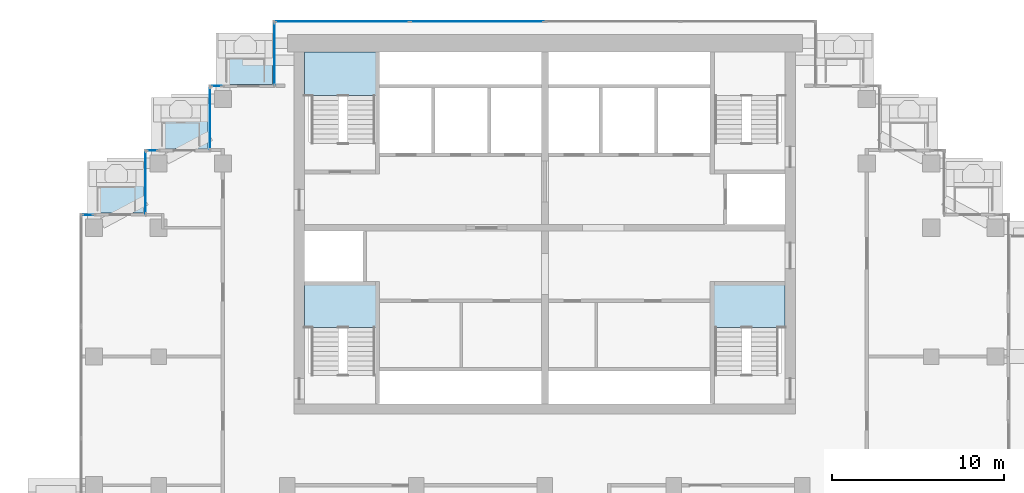
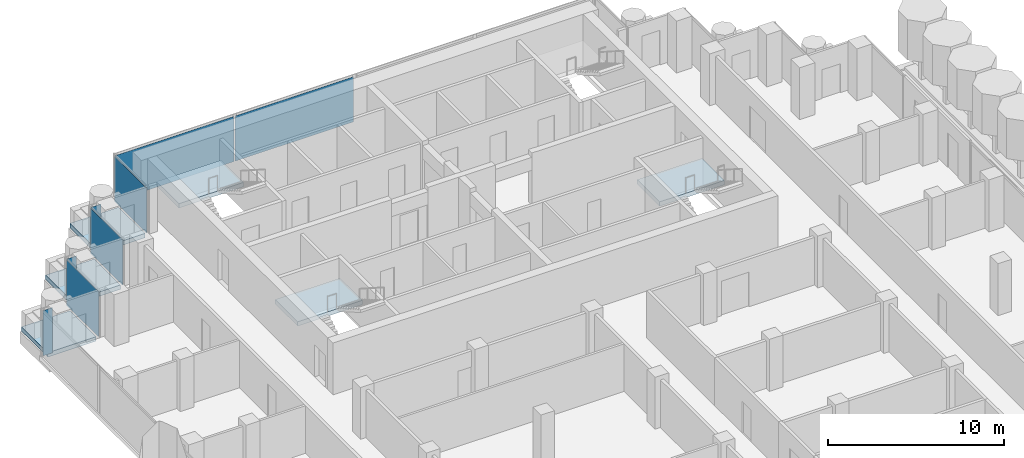
# One storey, part 9 of 18: 8 plates, 6 slabs, 10 elements without a shape of their own.
"""IFC4 building model written with IfcOpenShell, lengths in metres."""

from ifc_helpers import new_model, si_unit, direction, frame, origin, origin_2d, place, context, subcontext, project, spatial, polyline, rectangle, outline, extrude, material, layer, layer_set, type_object, element, aggregate, save


model = new_model("IFC4")

# Units and contexts
model_context = context("Model", 3, precision=1e-05, world=origin(), true_north=direction((0.0, 1.0)))
body_context = subcontext(model_context, "Body", "Model", "MODEL_VIEW")
ifc_project = project(units=[si_unit("LENGTHUNIT", "METRE"), si_unit("AREAUNIT", "SQUARE_METRE"), si_unit("VOLUMEUNIT", "CUBIC_METRE"), si_unit("PLANEANGLEUNIT", "RADIAN"), si_unit("MASSUNIT", "GRAM", prefix="KILO")], contexts=[model_context])

# Site, building, storey
site_placement = place(None, origin())
site = spatial("IfcSite", under=ifc_project, at=site_placement, CompositionType="ELEMENT")
building_placement = place(site_placement, origin())
building = spatial("IfcBuilding", under=site, at=building_placement, Name="Pilkhan Gate Tower", CompositionType="ELEMENT")
storey_placement = place(building_placement, frame((0.0, 0.0, 195.89990234375)))
storey = spatial("IfcBuildingStorey", under=building, at=storey_placement, Name="L50", CompositionType="ELEMENT", Elevation=195.89990234375)

# Slabs
ifc_material_1 = material(Name="Concrete C60/75", Category="concrete")
ifc_layer_1 = layer(ifc_material_1, 0.300048828125)
ifc_layer_set_1 = layer_set([ifc_layer_1], Name="Balcony tray slab TR300")
slab_type_1 = type_object("IfcSlabType", Name="Balcony tray slab TR300", PredefinedType="FLOOR", material=ifc_layer_set_1)
slab_1_placement = place(storey_placement, frame((0.0, 0.0, -0.2998046875)))
element("IfcSlab", 1, at=slab_1_placement, inside=storey, type_object=slab_type_1, Name="Balcony tray L50 N", PredefinedType="FLOOR", context=body_context, shape_type="SweptSolid", body=[
    extrude(outline(polyline([(59.14990234375, 90.85009765625), (59.14990234375, 93.85009765625), (55.949951171875, 93.85009765625), (55.949951171875, 90.85009765625), (59.14990234375, 90.85009765625)])), origin(), (0.0, 0.0, 1.0), 0.2998046875),
])
slab_2_placement = place(storey_placement, frame((0.0, 0.0, -0.2998046875)))
element("IfcSlab", 2, at=slab_2_placement, inside=storey, type_object=slab_type_1, Name="Balcony tray L50 N", PredefinedType="FLOOR", context=body_context, shape_type="SweptSolid", body=[
    extrude(outline(polyline([(55.3798828125, 87.1201171875), (55.3798828125, 90.10009765625), (52.199951171875, 90.10009765625), (52.199951171875, 87.1201171875), (55.3798828125, 87.1201171875)])), origin(), (0.0, 0.0, 1.0), 0.2998046875),
])
slab_3_placement = place(storey_placement, frame((0.0, 0.0, -0.2998046875)))
element("IfcSlab", 3, at=slab_3_placement, inside=storey, type_object=slab_type_1, Name="Balcony tray L50 N", PredefinedType="FLOOR", context=body_context, shape_type="SweptSolid", body=[
    extrude(outline(polyline([(51.6298828125, 83.3701171875), (51.6298828125, 86.35009765625), (48.449951171875, 86.35009765625), (48.449951171875, 83.3701171875), (51.6298828125, 83.3701171875)])), origin(), (0.0, 0.0, 1.0), 0.2998046875),
])

# Curtain wall, plates
ifc_material_2 = material(Name="Pale anodised aluminium, clear low-iron double glazing", Category="aluminium")
curtain_wall_type = type_object("IfcCurtainWallType", Name="Office unitised curtain wall CW-O2", PredefinedType="USERDEFINED", material=ifc_material_2)
curtain_wall_1_placement = place(storey_placement, origin())
curtain_wall_1 = element("IfcCurtainWall", 4, at=curtain_wall_1_placement, inside=storey, type_object=curtain_wall_type, Name="Office unitised curtain wall CW-O2 L50 N", ObjectType="UNITISED CURTAIN WALL", PredefinedType="USERDEFINED")
ifc_material_3 = material(Name="Clear low-iron double glazing", Category="glass")
ifc_layer_2 = layer(ifc_material_3, 0.031982421875)
ifc_layer_set_2 = layer_set([ifc_layer_2], Name="Glass panel CW-O2 32")
plate_type = type_object("IfcPlateType", Name="Glass panel CW-O2 32", PredefinedType="CURTAIN_PANEL", material=ifc_layer_set_2)
plate_1_placement = place(storey_placement, frame((63.203857421875, 94.5, 0.0), z_axis=(0.0, 0.0, 1.0), x_axis=(1.0, 0.0, 0.0)))
plate_1 = element("IfcPlate", 5, at=plate_1_placement, type_object=plate_type, Name="CW-O2 panel 1", PredefinedType="CURTAIN_PANEL", context=body_context, shape_type="SweptSolid", body=[
    extrude(rectangle(XDim=7.777587890625, YDim=0.031982421875, at=origin_2d()), origin(), (0.0, 0.0, 1.0), 3.135009765625),
])
plate_2_placement = place(storey_placement, frame((71.046142578125, 94.5, 0.0), z_axis=(0.0, 0.0, 1.0), x_axis=(1.0, 0.0, 0.0)))
plate_2 = element("IfcPlate", 6, at=plate_2_placement, type_object=plate_type, Name="CW-O2 panel 2", PredefinedType="CURTAIN_PANEL", context=body_context, shape_type="SweptSolid", body=[
    extrude(rectangle(XDim=7.777587890625, YDim=0.031982421875, at=origin_2d()), origin(), (0.0, 0.0, 1.0), 3.135009765625),
])
aggregate(curtain_wall_1, [plate_1, plate_2])

# Curtain wall, plate
curtain_wall_2_placement = place(storey_placement, origin())
curtain_wall_2 = element("IfcCurtainWall", 7, at=curtain_wall_2_placement, inside=storey, type_object=curtain_wall_type, Name="Office unitised curtain wall CW-O2 L50 W", ObjectType="UNITISED CURTAIN WALL", PredefinedType="USERDEFINED")
plate_3_placement = place(storey_placement, frame((59.25, 92.625, 0.0), z_axis=(0.0, 0.0, 1.0), x_axis=(0.0, 1.0, 0.0)))
plate_3 = element("IfcPlate", 8, at=plate_3_placement, type_object=plate_type, Name="CW-O2 panel 1", PredefinedType="CURTAIN_PANEL", context=body_context, shape_type="SweptSolid", body=[
    extrude(rectangle(XDim=3.6201171875, YDim=0.031982421875, at=origin_2d()), origin(), (0.0, 0.0, 1.0), 3.135009765625),
])
aggregate(curtain_wall_2, [plate_3])

curtain_wall_3_placement = place(storey_placement, origin())
curtain_wall_3 = element("IfcCurtainWall", 9, at=curtain_wall_3_placement, inside=storey, type_object=curtain_wall_type, Name="Office unitised curtain wall CW-O2 L50 N", ObjectType="UNITISED CURTAIN WALL", PredefinedType="USERDEFINED")
plate_4_placement = place(storey_placement, frame((55.875, 90.75, 0.0), z_axis=(0.0, 0.0, 1.0), x_axis=(1.0, 0.0, 0.0)))
plate_4 = element("IfcPlate", 10, at=plate_4_placement, type_object=plate_type, Name="CW-O2 panel 1", PredefinedType="CURTAIN_PANEL", context=body_context, shape_type="SweptSolid", body=[
    extrude(rectangle(XDim=0.6201171875, YDim=0.031982421875, at=origin_2d()), origin(), (0.0, 0.0, 1.0), 3.135009765625),
])
aggregate(curtain_wall_3, [plate_4])

curtain_wall_4_placement = place(storey_placement, origin())
curtain_wall_4 = element("IfcCurtainWall", 11, at=curtain_wall_4_placement, inside=storey, type_object=curtain_wall_type, Name="Office unitised curtain wall CW-O2 L50 W", ObjectType="UNITISED CURTAIN WALL", PredefinedType="USERDEFINED")
plate_5_placement = place(storey_placement, frame((55.5, 88.875, 0.0), z_axis=(0.0, 0.0, 1.0), x_axis=(0.0, 1.0, 0.0)))
plate_5 = element("IfcPlate", 12, at=plate_5_placement, type_object=plate_type, Name="CW-O2 panel 1", PredefinedType="CURTAIN_PANEL", context=body_context, shape_type="SweptSolid", body=[
    extrude(rectangle(XDim=3.6201171875, YDim=0.031982421875, at=origin_2d()), origin(), (0.0, 0.0, 1.0), 3.135009765625),
])
aggregate(curtain_wall_4, [plate_5])

curtain_wall_5_placement = place(storey_placement, origin())
curtain_wall_5 = element("IfcCurtainWall", 13, at=curtain_wall_5_placement, inside=storey, type_object=curtain_wall_type, Name="Office unitised curtain wall CW-O2 L50 N", ObjectType="UNITISED CURTAIN WALL", PredefinedType="USERDEFINED")
plate_6_placement = place(storey_placement, frame((52.125, 87.0, 0.0), z_axis=(0.0, 0.0, 1.0), x_axis=(1.0, 0.0, 0.0)))
plate_6 = element("IfcPlate", 14, at=plate_6_placement, type_object=plate_type, Name="CW-O2 panel 1", PredefinedType="CURTAIN_PANEL", context=body_context, shape_type="SweptSolid", body=[
    extrude(rectangle(XDim=0.6201171875, YDim=0.031982421875, at=origin_2d()), origin(), (0.0, 0.0, 1.0), 3.135009765625),
])
aggregate(curtain_wall_5, [plate_6])

curtain_wall_6_placement = place(storey_placement, origin())
curtain_wall_6 = element("IfcCurtainWall", 15, at=curtain_wall_6_placement, inside=storey, type_object=curtain_wall_type, Name="Office unitised curtain wall CW-O2 L50 W", ObjectType="UNITISED CURTAIN WALL", PredefinedType="USERDEFINED")
plate_7_placement = place(storey_placement, frame((51.75, 85.125, 0.0), z_axis=(0.0, 0.0, 1.0), x_axis=(0.0, 1.0, 0.0)))
plate_7 = element("IfcPlate", 16, at=plate_7_placement, type_object=plate_type, Name="CW-O2 panel 1", PredefinedType="CURTAIN_PANEL", context=body_context, shape_type="SweptSolid", body=[
    extrude(rectangle(XDim=3.6201171875, YDim=0.031982421875, at=origin_2d()), origin(), (0.0, 0.0, 1.0), 3.135009765625),
])
aggregate(curtain_wall_6, [plate_7])

curtain_wall_7_placement = place(storey_placement, origin())
curtain_wall_7 = element("IfcCurtainWall", 17, at=curtain_wall_7_placement, inside=storey, type_object=curtain_wall_type, Name="Office unitised curtain wall CW-O2 L50 N", ObjectType="UNITISED CURTAIN WALL", PredefinedType="USERDEFINED")
plate_8_placement = place(storey_placement, frame((48.375, 83.25, 0.0), z_axis=(0.0, 0.0, 1.0), x_axis=(1.0, 0.0, 0.0)))
plate_8 = element("IfcPlate", 18, at=plate_8_placement, type_object=plate_type, Name="CW-O2 panel 1", PredefinedType="CURTAIN_PANEL", context=body_context, shape_type="SweptSolid", body=[
    extrude(rectangle(XDim=0.6201171875, YDim=0.031982421875, at=origin_2d()), origin(), (0.0, 0.0, 1.0), 3.135009765625),
])
aggregate(curtain_wall_7, [plate_8])

# Stair, slab
ifc_material_4 = material(Name="Concrete C40/50 precast", Category="concrete")
stair_type_1 = type_object("IfcStairType", Name="Stair ST1 164x280", PredefinedType="HALF_TURN_STAIR", material=ifc_material_4)
stair_1_placement = place(storey_placement, origin())
stair_1 = element("IfcStair", 19, at=stair_1_placement, inside=storey, type_object=stair_type_1, Name="Stair ST1 L50", PredefinedType="HALF_TURN_STAIR")
ifc_material_5 = material(Name="Concrete C40/50", Category="concrete")
ifc_layer_3 = layer(ifc_material_5, 0.199951171875)
ifc_layer_set_3 = layer_set([ifc_layer_3], Name="Stair landing SL200")
slab_type_2 = type_object("IfcSlabType", Name="Stair landing SL200", PredefinedType="LANDING", material=ifc_layer_set_3)
slab_4_placement = place(storey_placement, frame((0.0, 0.0, 1.5)))
slab_4 = element("IfcSlab", 20, at=slab_4_placement, type_object=slab_type_2, Name="ST1 landing 1", PredefinedType="LANDING", context=body_context, shape_type="SweptSolid", body=[
    extrude(outline(polyline([(89.0, 76.699951171875), (89.0, 79.25), (84.75, 79.25), (84.75, 76.699951171875), (89.0, 76.699951171875)])), origin(), (0.0, 0.0, 1.0), 0.300048828125),
])
aggregate(stair_1, [slab_4])

stair_type_2 = type_object("IfcStairType", Name="Stair ST2 164x280", PredefinedType="HALF_TURN_STAIR", material=ifc_material_4)
stair_2_placement = place(storey_placement, origin())
stair_2 = element("IfcStair", 21, at=stair_2_placement, inside=storey, type_object=stair_type_2, Name="Stair ST2 L50", PredefinedType="HALF_TURN_STAIR")
slab_5_placement = place(storey_placement, frame((0.0, 0.0, 1.5)))
slab_5 = element("IfcSlab", 22, at=slab_5_placement, type_object=slab_type_2, Name="ST2 landing 1", PredefinedType="LANDING", context=body_context, shape_type="SweptSolid", body=[
    extrude(outline(polyline([(65.25, 76.699951171875), (65.25, 79.25), (61.0, 79.25), (61.0, 76.699951171875), (65.25, 76.699951171875)])), origin(), (0.0, 0.0, 1.0), 0.300048828125),
])
aggregate(stair_2, [slab_5])

stair_type_3 = type_object("IfcStairType", Name="Stair ST3 164x280", PredefinedType="HALF_TURN_STAIR", material=ifc_material_4)
stair_3_placement = place(storey_placement, origin())
stair_3 = element("IfcStair", 23, at=stair_3_placement, inside=storey, type_object=stair_type_3, Name="Stair ST3 L50", PredefinedType="HALF_TURN_STAIR")
slab_6_placement = place(storey_placement, frame((0.0, 0.0, 1.5)))
slab_6 = element("IfcSlab", 24, at=slab_6_placement, type_object=slab_type_2, Name="ST3 landing 1", PredefinedType="LANDING", context=body_context, shape_type="SweptSolid", body=[
    extrude(outline(polyline([(65.25, 90.199951171875), (65.25, 92.75), (61.0, 92.75), (61.0, 90.199951171875), (65.25, 90.199951171875)])), origin(), (0.0, 0.0, 1.0), 0.300048828125),
])
aggregate(stair_3, [slab_6])

save(model, "model.ifc")
